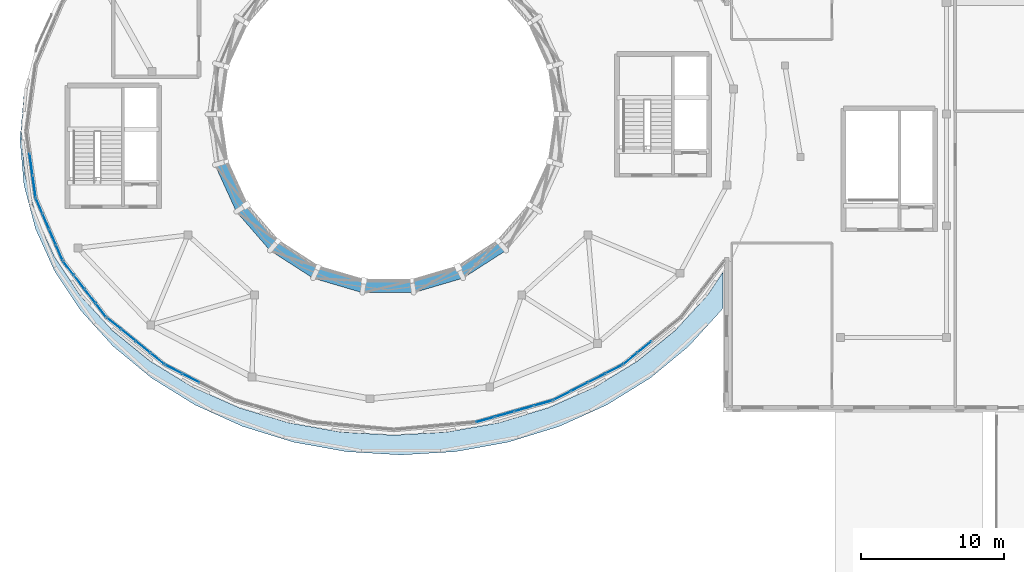
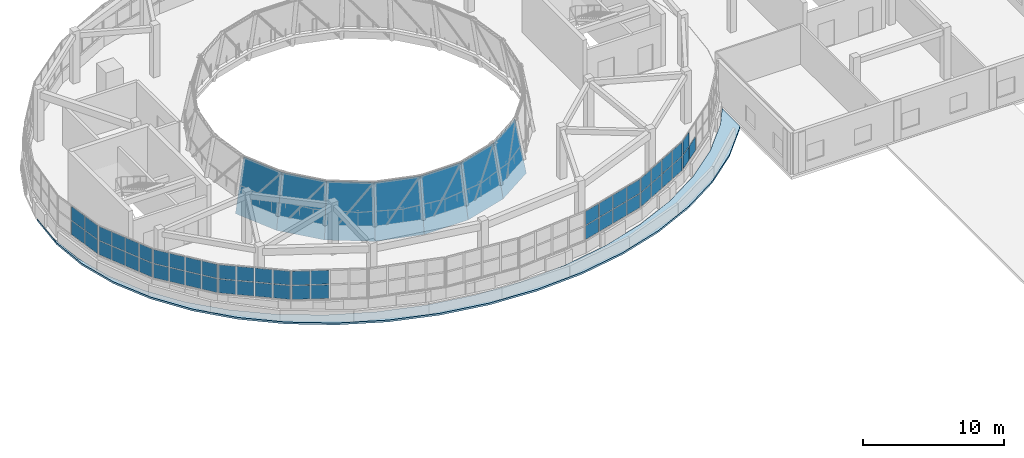
# One storey, part 29 of 46: 58 plates, 1 slab, 8 elements without a shape of their own.
"""IFC4 building model written with IfcOpenShell, lengths in metres."""

from ifc_helpers import new_model, si_unit, direction, frame, origin, origin_2d, place, context, subcontext, project, spatial, polyline, rectangle, outline, extrude, material, layer, layer_set, type_object, element, aggregate, save


model = new_model("IFC4")

# Units and contexts
model_context = context("Model", 3, precision=1e-05, world=origin(), true_north=direction((0.0, 1.0)))
body_context = subcontext(model_context, "Body", "Model", "MODEL_VIEW")
ifc_project = project(units=[si_unit("LENGTHUNIT", "METRE"), si_unit("AREAUNIT", "SQUARE_METRE"), si_unit("VOLUMEUNIT", "CUBIC_METRE"), si_unit("PLANEANGLEUNIT", "RADIAN"), si_unit("MASSUNIT", "GRAM", prefix="KILO")], contexts=[model_context])

# Site, building, storey
site_placement = place(None, origin())
site = spatial("IfcSite", under=ifc_project, at=site_placement, CompositionType="ELEMENT")
building_placement = place(site_placement, origin())
building = spatial("IfcBuilding", under=site, at=building_placement, Name="Pelvatis Terrace Science Centre", CompositionType="ELEMENT")
storey_placement = place(building_placement, frame((0.0, 0.0, 19.800048828125)))
storey = spatial("IfcBuildingStorey", under=building, at=storey_placement, Name="L04", CompositionType="ELEMENT", Elevation=19.800048828125)

# Curtain wall, plates
ifc_material_1 = material(Name="Bronze-anodised aluminium and laminated glass", Category="aluminium")
ifc_layer_1 = layer(ifc_material_1, 0.14990234375)
ifc_layer_set_1 = layer_set([ifc_layer_1], Name="Bronze-anodised aluminium and laminated glass")
curtain_wall_type = type_object("IfcCurtainWallType", Name="CW-PASSAGE-C", PredefinedType="NOTDEFINED", material=ifc_layer_set_1)
curtain_wall_1_placement = place(storey_placement, origin())
curtain_wall_1 = element("IfcCurtainWall", 1, at=curtain_wall_1_placement, inside=storey, type_object=curtain_wall_type, Name="Ribbon curtain wall CW-225 (L04)", PredefinedType="NOTDEFINED")
ifc_material_2 = material(Name="Low-e laminated solar-control double glazing", Category="glass")
ifc_layer_2 = layer(ifc_material_2, 0.0400390625)
ifc_layer_set_2 = layer_set([ifc_layer_2], Name="Low-e laminated solar-control double glazing")
plate_type_1 = type_object("IfcPlateType", Name="CWP-SPN-40", PredefinedType="CURTAIN_PANEL", material=ifc_layer_set_2)
plate_1_placement = place(storey_placement, frame((84.271484375, 82.2802734375, 1.074951171875), z_axis=(0.0, 0.0, 1.0), x_axis=(0.137298402914, -0.990529731284, 0.0)))
plate_1 = element("IfcPlate", 2, at=plate_1_placement, type_object=plate_type_1, Name="CW-225 panel 2.1", PredefinedType="CURTAIN_PANEL", context=body_context, shape_type="SweptSolid", body=[
    extrude(rectangle(XDim=1.50634765625, YDim=0.0400390625, at=origin_2d()), origin(), (0.0, 0.0, 1.0), 1.1923828125),
])
plate_2_placement = place(storey_placement, frame((84.271484375, 82.2802734375, 2.322509765625), z_axis=(0.0, 0.0, 1.0), x_axis=(0.137298402914, -0.990529731284, 0.0)))
plate_2 = element("IfcPlate", 3, at=plate_2_placement, type_object=plate_type_1, Name="CW-225 panel 2.2", PredefinedType="CURTAIN_PANEL", context=body_context, shape_type="SweptSolid", body=[
    extrude(rectangle(XDim=1.50634765625, YDim=0.0400390625, at=origin_2d()), origin(), (0.0, 0.0, 1.0), 1.1923828125),
])
plate_3_placement = place(storey_placement, frame((84.484130859375, 80.747314453125, 1.074951171875), z_axis=(0.0, 0.0, 1.0), x_axis=(0.137298402914, -0.990529731284, 0.0)))
plate_3 = element("IfcPlate", 4, at=plate_3_placement, type_object=plate_type_1, Name="CW-225 panel 3.1", PredefinedType="CURTAIN_PANEL", context=body_context, shape_type="SweptSolid", body=[
    extrude(rectangle(XDim=1.478759765625, YDim=0.0400390625, at=origin_2d()), origin(), (0.0, 0.0, 1.0), 1.1923828125),
])
plate_4_placement = place(storey_placement, frame((84.484130859375, 80.747314453125, 2.322509765625), z_axis=(0.0, 0.0, 1.0), x_axis=(0.137298402914, -0.990529731284, 0.0)))
plate_4 = element("IfcPlate", 5, at=plate_4_placement, type_object=plate_type_1, Name="CW-225 panel 3.2", PredefinedType="CURTAIN_PANEL", context=body_context, shape_type="SweptSolid", body=[
    extrude(rectangle(XDim=1.478759765625, YDim=0.0400390625, at=origin_2d()), origin(), (0.0, 0.0, 1.0), 1.1923828125),
])
aggregate(curtain_wall_1, [plate_1, plate_2, plate_3, plate_4])

curtain_wall_2_placement = place(storey_placement, origin())
curtain_wall_2 = element("IfcCurtainWall", 6, at=curtain_wall_2_placement, inside=storey, type_object=curtain_wall_type, Name="Ribbon curtain wall CW-226 (L04)", PredefinedType="NOTDEFINED")
plate_5_placement = place(storey_placement, frame((84.835693359375, 79.39697265625, 1.074951171875), z_axis=(0.0, 0.0, 1.0), x_axis=(0.395385330111, -0.918515345943, 0.0)))
plate_5 = element("IfcPlate", 7, at=plate_5_placement, type_object=plate_type_1, Name="CW-226 panel 1.1", PredefinedType="CURTAIN_PANEL", context=body_context, shape_type="SweptSolid", body=[
    extrude(rectangle(XDim=1.116943359375, YDim=0.0400390625, at=origin_2d()), origin(), (0.0, 0.0, 1.0), 1.1923828125),
])
plate_6_placement = place(storey_placement, frame((84.835693359375, 79.39697265625, 2.322509765625), z_axis=(0.0, 0.0, 1.0), x_axis=(0.395385330111, -0.918515345943, 0.0)))
plate_6 = element("IfcPlate", 8, at=plate_6_placement, type_object=plate_type_1, Name="CW-226 panel 1.2", PredefinedType="CURTAIN_PANEL", context=body_context, shape_type="SweptSolid", body=[
    extrude(rectangle(XDim=1.116943359375, YDim=0.0400390625, at=origin_2d()), origin(), (0.0, 0.0, 1.0), 1.1923828125),
])
plate_7_placement = place(storey_placement, frame((85.304443359375, 78.307861328125, 1.074951171875), z_axis=(0.0, 0.0, 1.0), x_axis=(0.395385330111, -0.918515345943, 0.0)))
plate_7 = element("IfcPlate", 9, at=plate_7_placement, type_object=plate_type_1, Name="CW-226 panel 2.1", PredefinedType="CURTAIN_PANEL", context=body_context, shape_type="SweptSolid", body=[
    extrude(rectangle(XDim=1.14453125, YDim=0.0400390625, at=origin_2d()), origin(), (0.0, 0.0, 1.0), 1.1923828125),
])
plate_8_placement = place(storey_placement, frame((85.304443359375, 78.307861328125, 2.322509765625), z_axis=(0.0, 0.0, 1.0), x_axis=(0.395385330111, -0.918515345943, 0.0)))
plate_8 = element("IfcPlate", 10, at=plate_8_placement, type_object=plate_type_1, Name="CW-226 panel 2.2", PredefinedType="CURTAIN_PANEL", context=body_context, shape_type="SweptSolid", body=[
    extrude(rectangle(XDim=1.14453125, YDim=0.0400390625, at=origin_2d()), origin(), (0.0, 0.0, 1.0), 1.1923828125),
])
plate_9_placement = place(storey_placement, frame((85.77880859375, 77.2060546875, 1.074951171875), z_axis=(0.0, 0.0, 1.0), x_axis=(0.395385330111, -0.918515345943, 0.0)))
plate_9 = element("IfcPlate", 11, at=plate_9_placement, type_object=plate_type_1, Name="CW-226 panel 3.1", PredefinedType="CURTAIN_PANEL", context=body_context, shape_type="SweptSolid", body=[
    extrude(rectangle(XDim=1.14453125, YDim=0.0400390625, at=origin_2d()), origin(), (0.0, 0.0, 1.0), 1.1923828125),
])
plate_10_placement = place(storey_placement, frame((85.77880859375, 77.2060546875, 2.322509765625), z_axis=(0.0, 0.0, 1.0), x_axis=(0.395385330111, -0.918515345943, 0.0)))
plate_10 = element("IfcPlate", 12, at=plate_10_placement, type_object=plate_type_1, Name="CW-226 panel 3.2", PredefinedType="CURTAIN_PANEL", context=body_context, shape_type="SweptSolid", body=[
    extrude(rectangle(XDim=1.14453125, YDim=0.0400390625, at=origin_2d()), origin(), (0.0, 0.0, 1.0), 1.1923828125),
])
plate_11_placement = place(storey_placement, frame((86.24755859375, 76.116943359375, 1.074951171875), z_axis=(0.0, 0.0, 1.0), x_axis=(0.395385330111, -0.918515345943, 0.0)))
plate_11 = element("IfcPlate", 13, at=plate_11_placement, type_object=plate_type_1, Name="CW-226 panel 4.1", PredefinedType="CURTAIN_PANEL", context=body_context, shape_type="SweptSolid", body=[
    extrude(rectangle(XDim=1.116943359375, YDim=0.0400390625, at=origin_2d()), origin(), (0.0, 0.0, 1.0), 1.1923828125),
])
plate_12_placement = place(storey_placement, frame((86.24755859375, 76.116943359375, 2.322509765625), z_axis=(0.0, 0.0, 1.0), x_axis=(0.395385330111, -0.918515345943, 0.0)))
plate_12 = element("IfcPlate", 14, at=plate_12_placement, type_object=plate_type_1, Name="CW-226 panel 4.2", PredefinedType="CURTAIN_PANEL", context=body_context, shape_type="SweptSolid", body=[
    extrude(rectangle(XDim=1.116943359375, YDim=0.0400390625, at=origin_2d()), origin(), (0.0, 0.0, 1.0), 1.1923828125),
])
aggregate(curtain_wall_2, [plate_5, plate_6, plate_7, plate_8, plate_9, plate_10, plate_11, plate_12])

curtain_wall_3_placement = place(storey_placement, origin())
curtain_wall_3 = element("IfcCurtainWall", 15, at=curtain_wall_3_placement, inside=storey, type_object=curtain_wall_type, Name="Ribbon curtain wall CW-227 (L04)", PredefinedType="NOTDEFINED")
plate_13_placement = place(storey_placement, frame((86.880615234375, 75.04833984375, 1.074951171875), z_axis=(0.0, 0.0, 1.0), x_axis=(0.611582483994, -0.791180678019, 0.0)))
plate_13 = element("IfcPlate", 16, at=plate_13_placement, type_object=plate_type_1, Name="CW-227 panel 1.1", PredefinedType="CURTAIN_PANEL", context=body_context, shape_type="SweptSolid", body=[
    extrude(rectangle(XDim=1.166748046875, YDim=0.0400390625, at=origin_2d()), origin(), (0.0, 0.0, 1.0), 1.1923828125),
])
plate_14_placement = place(storey_placement, frame((86.880615234375, 75.04833984375, 2.322509765625), z_axis=(0.0, 0.0, 1.0), x_axis=(0.611582483994, -0.791180678019, 0.0)))
plate_14 = element("IfcPlate", 17, at=plate_14_placement, type_object=plate_type_1, Name="CW-227 panel 1.2", PredefinedType="CURTAIN_PANEL", context=body_context, shape_type="SweptSolid", body=[
    extrude(rectangle(XDim=1.166748046875, YDim=0.0400390625, at=origin_2d()), origin(), (0.0, 0.0, 1.0), 1.1923828125),
])
plate_15_placement = place(storey_placement, frame((87.635986328125, 74.071044921875, 1.074951171875), z_axis=(0.0, 0.0, 1.0), x_axis=(0.611582483994, -0.791180678019, 0.0)))
plate_15 = element("IfcPlate", 18, at=plate_15_placement, type_object=plate_type_1, Name="CW-227 panel 2.1", PredefinedType="CURTAIN_PANEL", context=body_context, shape_type="SweptSolid", body=[
    extrude(rectangle(XDim=1.194091796875, YDim=0.0400390625, at=origin_2d()), origin(), (0.0, 0.0, 1.0), 1.1923828125),
])
plate_16_placement = place(storey_placement, frame((87.635986328125, 74.071044921875, 2.322509765625), z_axis=(0.0, 0.0, 1.0), x_axis=(0.611582483994, -0.791180678019, 0.0)))
plate_16 = element("IfcPlate", 19, at=plate_16_placement, type_object=plate_type_1, Name="CW-227 panel 2.2", PredefinedType="CURTAIN_PANEL", context=body_context, shape_type="SweptSolid", body=[
    extrude(rectangle(XDim=1.194091796875, YDim=0.0400390625, at=origin_2d()), origin(), (0.0, 0.0, 1.0), 1.1923828125),
])
plate_17_placement = place(storey_placement, frame((88.400146484375, 73.082763671875, 1.074951171875), z_axis=(0.0, 0.0, 1.0), x_axis=(0.611582483994, -0.791180678019, 0.0)))
plate_17 = element("IfcPlate", 20, at=plate_17_placement, type_object=plate_type_1, Name="CW-227 panel 3.1", PredefinedType="CURTAIN_PANEL", context=body_context, shape_type="SweptSolid", body=[
    extrude(rectangle(XDim=1.194091796875, YDim=0.0400390625, at=origin_2d()), origin(), (0.0, 0.0, 1.0), 1.1923828125),
])
plate_18_placement = place(storey_placement, frame((88.400146484375, 73.082763671875, 2.322509765625), z_axis=(0.0, 0.0, 1.0), x_axis=(0.611582483994, -0.791180678019, 0.0)))
plate_18 = element("IfcPlate", 21, at=plate_18_placement, type_object=plate_type_1, Name="CW-227 panel 3.2", PredefinedType="CURTAIN_PANEL", context=body_context, shape_type="SweptSolid", body=[
    extrude(rectangle(XDim=1.194091796875, YDim=0.0400390625, at=origin_2d()), origin(), (0.0, 0.0, 1.0), 1.1923828125),
])
plate_19_placement = place(storey_placement, frame((89.155517578125, 72.105224609375, 1.074951171875), z_axis=(0.0, 0.0, 1.0), x_axis=(0.611582483994, -0.791180678019, 0.0)))
plate_19 = element("IfcPlate", 22, at=plate_19_placement, type_object=plate_type_1, Name="CW-227 panel 4.1", PredefinedType="CURTAIN_PANEL", context=body_context, shape_type="SweptSolid", body=[
    extrude(rectangle(XDim=1.166748046875, YDim=0.0400390625, at=origin_2d()), origin(), (0.0, 0.0, 1.0), 1.1923828125),
])
plate_20_placement = place(storey_placement, frame((89.155517578125, 72.105224609375, 2.322509765625), z_axis=(0.0, 0.0, 1.0), x_axis=(0.611582483994, -0.791180678019, 0.0)))
plate_20 = element("IfcPlate", 23, at=plate_20_placement, type_object=plate_type_1, Name="CW-227 panel 4.2", PredefinedType="CURTAIN_PANEL", context=body_context, shape_type="SweptSolid", body=[
    extrude(rectangle(XDim=1.166748046875, YDim=0.0400390625, at=origin_2d()), origin(), (0.0, 0.0, 1.0), 1.1923828125),
])
aggregate(curtain_wall_3, [plate_13, plate_14, plate_15, plate_16, plate_17, plate_18, plate_19, plate_20])

curtain_wall_4_placement = place(storey_placement, origin())
curtain_wall_4 = element("IfcCurtainWall", 24, at=curtain_wall_4_placement, inside=storey, type_object=curtain_wall_type, Name="Ribbon curtain wall CW-228 (L04)", PredefinedType="NOTDEFINED")
plate_21_placement = place(storey_placement, frame((90.064453125, 71.178955078125, 1.074951171875), z_axis=(0.0, 0.0, 1.0), x_axis=(0.775980152456, -0.630757324963, 0.0)))
plate_21 = element("IfcPlate", 25, at=plate_21_placement, type_object=plate_type_1, Name="CW-228 panel 1.1", PredefinedType="CURTAIN_PANEL", context=body_context, shape_type="SweptSolid", body=[
    extrude(rectangle(XDim=1.22607421875, YDim=0.0400390625, at=origin_2d()), origin(), (0.0, 0.0, 1.0), 1.1923828125),
])
plate_22_placement = place(storey_placement, frame((90.064453125, 71.178955078125, 2.322509765625), z_axis=(0.0, 0.0, 1.0), x_axis=(0.775980152456, -0.630757324963, 0.0)))
plate_22 = element("IfcPlate", 26, at=plate_22_placement, type_object=plate_type_1, Name="CW-228 panel 1.2", PredefinedType="CURTAIN_PANEL", context=body_context, shape_type="SweptSolid", body=[
    extrude(rectangle(XDim=1.22607421875, YDim=0.0400390625, at=origin_2d()), origin(), (0.0, 0.0, 1.0), 1.1923828125),
])
plate_23_placement = place(storey_placement, frame((91.069091796875, 70.362060546875, 1.074951171875), z_axis=(0.0, 0.0, 1.0), x_axis=(0.775980152456, -0.630757324963, 0.0)))
plate_23 = element("IfcPlate", 27, at=plate_23_placement, type_object=plate_type_1, Name="CW-228 panel 2.1", PredefinedType="CURTAIN_PANEL", context=body_context, shape_type="SweptSolid", body=[
    extrude(rectangle(XDim=1.25341796875, YDim=0.0400390625, at=origin_2d()), origin(), (0.0, 0.0, 1.0), 1.1923828125),
])
plate_24_placement = place(storey_placement, frame((91.069091796875, 70.362060546875, 2.322509765625), z_axis=(0.0, 0.0, 1.0), x_axis=(0.775980152456, -0.630757324963, 0.0)))
plate_24 = element("IfcPlate", 28, at=plate_24_placement, type_object=plate_type_1, Name="CW-228 panel 2.2", PredefinedType="CURTAIN_PANEL", context=body_context, shape_type="SweptSolid", body=[
    extrude(rectangle(XDim=1.25341796875, YDim=0.0400390625, at=origin_2d()), origin(), (0.0, 0.0, 1.0), 1.1923828125),
])
plate_25_placement = place(storey_placement, frame((92.08447265625, 69.536865234375, 1.074951171875), z_axis=(0.0, 0.0, 1.0), x_axis=(0.775980152456, -0.630757324963, 0.0)))
plate_25 = element("IfcPlate", 29, at=plate_25_placement, type_object=plate_type_1, Name="CW-228 panel 3.1", PredefinedType="CURTAIN_PANEL", context=body_context, shape_type="SweptSolid", body=[
    extrude(rectangle(XDim=1.25341796875, YDim=0.0400390625, at=origin_2d()), origin(), (0.0, 0.0, 1.0), 1.1923828125),
])
plate_26_placement = place(storey_placement, frame((92.08447265625, 69.536865234375, 2.322509765625), z_axis=(0.0, 0.0, 1.0), x_axis=(0.775980152456, -0.630757324963, 0.0)))
plate_26 = element("IfcPlate", 30, at=plate_26_placement, type_object=plate_type_1, Name="CW-228 panel 3.2", PredefinedType="CURTAIN_PANEL", context=body_context, shape_type="SweptSolid", body=[
    extrude(rectangle(XDim=1.25341796875, YDim=0.0400390625, at=origin_2d()), origin(), (0.0, 0.0, 1.0), 1.1923828125),
])
plate_27_placement = place(storey_placement, frame((93.089111328125, 68.72021484375, 1.074951171875), z_axis=(0.0, 0.0, 1.0), x_axis=(0.775980152456, -0.630757324963, 0.0)))
plate_27 = element("IfcPlate", 31, at=plate_27_placement, type_object=plate_type_1, Name="CW-228 panel 4.1", PredefinedType="CURTAIN_PANEL", context=body_context, shape_type="SweptSolid", body=[
    extrude(rectangle(XDim=1.22607421875, YDim=0.0400390625, at=origin_2d()), origin(), (0.0, 0.0, 1.0), 1.1923828125),
])
plate_28_placement = place(storey_placement, frame((93.089111328125, 68.72021484375, 2.322509765625), z_axis=(0.0, 0.0, 1.0), x_axis=(0.775980152456, -0.630757324963, 0.0)))
plate_28 = element("IfcPlate", 32, at=plate_28_placement, type_object=plate_type_1, Name="CW-228 panel 4.2", PredefinedType="CURTAIN_PANEL", context=body_context, shape_type="SweptSolid", body=[
    extrude(rectangle(XDim=1.22607421875, YDim=0.0400390625, at=origin_2d()), origin(), (0.0, 0.0, 1.0), 1.1923828125),
])
aggregate(curtain_wall_4, [plate_21, plate_22, plate_23, plate_24, plate_25, plate_26, plate_27, plate_28])

curtain_wall_5_placement = place(storey_placement, origin())
curtain_wall_5 = element("IfcCurtainWall", 33, at=curtain_wall_5_placement, inside=storey, type_object=curtain_wall_type, Name="Ribbon curtain wall CW-229 (L04)", PredefinedType="NOTDEFINED")
plate_29_placement = place(storey_placement, frame((94.227783203125, 67.98193359375, 1.074951171875), z_axis=(0.0, 0.0, 1.0), x_axis=(0.890563601587, -0.454858737992, 0.0)))
plate_29 = element("IfcPlate", 34, at=plate_29_placement, type_object=plate_type_1, Name="CW-229 panel 1.1", PredefinedType="CURTAIN_PANEL", context=body_context, shape_type="SweptSolid", body=[
    extrude(rectangle(XDim=1.28271484375, YDim=0.0400390625, at=origin_2d()), origin(), (0.0, 0.0, 1.0), 1.1923828125),
])
plate_30_placement = place(storey_placement, frame((94.227783203125, 67.98193359375, 2.322509765625), z_axis=(0.0, 0.0, 1.0), x_axis=(0.890563601587, -0.454858737992, 0.0)))
plate_30 = element("IfcPlate", 35, at=plate_30_placement, type_object=plate_type_1, Name="CW-229 panel 1.2", PredefinedType="CURTAIN_PANEL", context=body_context, shape_type="SweptSolid", body=[
    extrude(rectangle(XDim=1.28271484375, YDim=0.0400390625, at=origin_2d()), origin(), (0.0, 0.0, 1.0), 1.1923828125),
])
plate_31_placement = place(storey_placement, frame((95.431396484375, 67.3671875, 1.074951171875), z_axis=(0.0, 0.0, 1.0), x_axis=(0.890563601587, -0.454858737992, 0.0)))
plate_31 = element("IfcPlate", 36, at=plate_31_placement, type_object=plate_type_1, Name="CW-229 panel 2.1", PredefinedType="CURTAIN_PANEL", context=body_context, shape_type="SweptSolid", body=[
    extrude(rectangle(XDim=1.310302734375, YDim=0.0400390625, at=origin_2d()), origin(), (0.0, 0.0, 1.0), 1.1923828125),
])
plate_32_placement = place(storey_placement, frame((95.431396484375, 67.3671875, 2.322509765625), z_axis=(0.0, 0.0, 1.0), x_axis=(0.890563601587, -0.454858737992, 0.0)))
plate_32 = element("IfcPlate", 37, at=plate_32_placement, type_object=plate_type_1, Name="CW-229 panel 2.2", PredefinedType="CURTAIN_PANEL", context=body_context, shape_type="SweptSolid", body=[
    extrude(rectangle(XDim=1.310302734375, YDim=0.0400390625, at=origin_2d()), origin(), (0.0, 0.0, 1.0), 1.1923828125),
])
aggregate(curtain_wall_5, [plate_29, plate_30, plate_31, plate_32])

curtain_wall_6_placement = place(storey_placement, origin())
curtain_wall_6 = element("IfcCurtainWall", 38, at=curtain_wall_6_placement, inside=storey, type_object=curtain_wall_type, Name="Ribbon curtain wall CW-233 (L04)", PredefinedType="NOTDEFINED")
plate_33_placement = place(storey_placement, frame((115.99853515625, 64.46923828125, 1.074951171875), z_axis=(0.0, 0.0, 1.0), x_axis=(0.96184998325, 0.273577429116, 0.0)))
plate_33 = element("IfcPlate", 39, at=plate_33_placement, type_object=plate_type_1, Name="CW-233 panel 1.1", PredefinedType="CURTAIN_PANEL", context=body_context, shape_type="SweptSolid", body=[
    extrude(rectangle(XDim=1.32666015625, YDim=0.0400390625, at=origin_2d()), origin(), (0.0, 0.0, 1.0), 1.1923828125),
])
plate_34_placement = place(storey_placement, frame((115.99853515625, 64.46923828125, 2.322509765625), z_axis=(0.0, 0.0, 1.0), x_axis=(0.96184998325, 0.273577429116, 0.0)))
plate_34 = element("IfcPlate", 40, at=plate_34_placement, type_object=plate_type_1, Name="CW-233 panel 1.2", PredefinedType="CURTAIN_PANEL", context=body_context, shape_type="SweptSolid", body=[
    extrude(rectangle(XDim=1.32666015625, YDim=0.0400390625, at=origin_2d()), origin(), (0.0, 0.0, 1.0), 1.1923828125),
])
plate_35_placement = place(storey_placement, frame((117.3408203125, 64.85107421875, 1.074951171875), z_axis=(0.0, 0.0, 1.0), x_axis=(0.96184998325, 0.273577429116, 0.0)))
plate_35 = element("IfcPlate", 41, at=plate_35_placement, type_object=plate_type_1, Name="CW-233 panel 2.1", PredefinedType="CURTAIN_PANEL", context=body_context, shape_type="SweptSolid", body=[
    extrude(rectangle(XDim=1.35400390625, YDim=0.0400390625, at=origin_2d()), origin(), (0.0, 0.0, 1.0), 1.1923828125),
])
plate_36_placement = place(storey_placement, frame((117.3408203125, 64.85107421875, 2.322509765625), z_axis=(0.0, 0.0, 1.0), x_axis=(0.96184998325, 0.273577429116, 0.0)))
plate_36 = element("IfcPlate", 42, at=plate_36_placement, type_object=plate_type_1, Name="CW-233 panel 2.2", PredefinedType="CURTAIN_PANEL", context=body_context, shape_type="SweptSolid", body=[
    extrude(rectangle(XDim=1.35400390625, YDim=0.0400390625, at=origin_2d()), origin(), (0.0, 0.0, 1.0), 1.1923828125),
])
plate_37_placement = place(storey_placement, frame((118.696044921875, 65.236572265625, 1.074951171875), z_axis=(0.0, 0.0, 1.0), x_axis=(0.96184998325, 0.273577429116, 0.0)))
plate_37 = element("IfcPlate", 43, at=plate_37_placement, type_object=plate_type_1, Name="CW-233 panel 3.1", PredefinedType="CURTAIN_PANEL", context=body_context, shape_type="SweptSolid", body=[
    extrude(rectangle(XDim=1.35400390625, YDim=0.0400390625, at=origin_2d()), origin(), (0.0, 0.0, 1.0), 1.1923828125),
])
plate_38_placement = place(storey_placement, frame((118.696044921875, 65.236572265625, 2.322509765625), z_axis=(0.0, 0.0, 1.0), x_axis=(0.96184998325, 0.273577429116, 0.0)))
plate_38 = element("IfcPlate", 44, at=plate_38_placement, type_object=plate_type_1, Name="CW-233 panel 3.2", PredefinedType="CURTAIN_PANEL", context=body_context, shape_type="SweptSolid", body=[
    extrude(rectangle(XDim=1.35400390625, YDim=0.0400390625, at=origin_2d()), origin(), (0.0, 0.0, 1.0), 1.1923828125),
])
plate_39_placement = place(storey_placement, frame((120.0380859375, 65.618408203125, 1.074951171875), z_axis=(0.0, 0.0, 1.0), x_axis=(0.96184998325, 0.273577429116, 0.0)))
plate_39 = element("IfcPlate", 45, at=plate_39_placement, type_object=plate_type_1, Name="CW-233 panel 4.1", PredefinedType="CURTAIN_PANEL", context=body_context, shape_type="SweptSolid", body=[
    extrude(rectangle(XDim=1.32666015625, YDim=0.0400390625, at=origin_2d()), origin(), (0.0, 0.0, 1.0), 1.1923828125),
])
plate_40_placement = place(storey_placement, frame((120.0380859375, 65.618408203125, 2.322509765625), z_axis=(0.0, 0.0, 1.0), x_axis=(0.96184998325, 0.273577429116, 0.0)))
plate_40 = element("IfcPlate", 46, at=plate_40_placement, type_object=plate_type_1, Name="CW-233 panel 4.2", PredefinedType="CURTAIN_PANEL", context=body_context, shape_type="SweptSolid", body=[
    extrude(rectangle(XDim=1.32666015625, YDim=0.0400390625, at=origin_2d()), origin(), (0.0, 0.0, 1.0), 1.1923828125),
])
aggregate(curtain_wall_6, [plate_33, plate_34, plate_35, plate_36, plate_37, plate_38, plate_39, plate_40])

curtain_wall_7_placement = place(storey_placement, origin())
curtain_wall_7 = element("IfcCurtainWall", 47, at=curtain_wall_7_placement, inside=storey, type_object=curtain_wall_type, Name="Ribbon curtain wall CW-234 (L04)", PredefinedType="NOTDEFINED")
plate_41_placement = place(storey_placement, frame((121.349365234375, 66.131591796875, 1.074951171875), z_axis=(0.0, 0.0, 1.0), x_axis=(0.890563601587, 0.454858737992, 0.0)))
plate_41 = element("IfcPlate", 48, at=plate_41_placement, type_object=plate_type_1, Name="CW-234 panel 1.1", PredefinedType="CURTAIN_PANEL", context=body_context, shape_type="SweptSolid", body=[
    extrude(rectangle(XDim=1.28271484375, YDim=0.0400390625, at=origin_2d()), origin(), (0.0, 0.0, 1.0), 1.1923828125),
])
plate_42_placement = place(storey_placement, frame((121.349365234375, 66.131591796875, 2.322509765625), z_axis=(0.0, 0.0, 1.0), x_axis=(0.890563601587, 0.454858737992, 0.0)))
plate_42 = element("IfcPlate", 49, at=plate_42_placement, type_object=plate_type_1, Name="CW-234 panel 1.2", PredefinedType="CURTAIN_PANEL", context=body_context, shape_type="SweptSolid", body=[
    extrude(rectangle(XDim=1.28271484375, YDim=0.0400390625, at=origin_2d()), origin(), (0.0, 0.0, 1.0), 1.1923828125),
])
plate_43_placement = place(storey_placement, frame((122.552978515625, 66.746337890625, 1.074951171875), z_axis=(0.0, 0.0, 1.0), x_axis=(0.890563601587, 0.454858737992, 0.0)))
plate_43 = element("IfcPlate", 50, at=plate_43_placement, type_object=plate_type_1, Name="CW-234 panel 2.1", PredefinedType="CURTAIN_PANEL", context=body_context, shape_type="SweptSolid", body=[
    extrude(rectangle(XDim=1.310302734375, YDim=0.0400390625, at=origin_2d()), origin(), (0.0, 0.0, 1.0), 1.1923828125),
])
plate_44_placement = place(storey_placement, frame((122.552978515625, 66.746337890625, 2.322509765625), z_axis=(0.0, 0.0, 1.0), x_axis=(0.890563601587, 0.454858737992, 0.0)))
plate_44 = element("IfcPlate", 51, at=plate_44_placement, type_object=plate_type_1, Name="CW-234 panel 2.2", PredefinedType="CURTAIN_PANEL", context=body_context, shape_type="SweptSolid", body=[
    extrude(rectangle(XDim=1.310302734375, YDim=0.0400390625, at=origin_2d()), origin(), (0.0, 0.0, 1.0), 1.1923828125),
])
plate_45_placement = place(storey_placement, frame((123.768798828125, 67.3671875, 1.074951171875), z_axis=(0.0, 0.0, 1.0), x_axis=(0.890563601587, 0.454858737992, 0.0)))
plate_45 = element("IfcPlate", 52, at=plate_45_placement, type_object=plate_type_1, Name="CW-234 panel 3.1", PredefinedType="CURTAIN_PANEL", context=body_context, shape_type="SweptSolid", body=[
    extrude(rectangle(XDim=1.310302734375, YDim=0.0400390625, at=origin_2d()), origin(), (0.0, 0.0, 1.0), 1.1923828125),
])
plate_46_placement = place(storey_placement, frame((123.768798828125, 67.3671875, 2.322509765625), z_axis=(0.0, 0.0, 1.0), x_axis=(0.890563601587, 0.454858737992, 0.0)))
plate_46 = element("IfcPlate", 53, at=plate_46_placement, type_object=plate_type_1, Name="CW-234 panel 3.2", PredefinedType="CURTAIN_PANEL", context=body_context, shape_type="SweptSolid", body=[
    extrude(rectangle(XDim=1.310302734375, YDim=0.0400390625, at=origin_2d()), origin(), (0.0, 0.0, 1.0), 1.1923828125),
])
plate_47_placement = place(storey_placement, frame((124.972412109375, 67.98193359375, 1.074951171875), z_axis=(0.0, 0.0, 1.0), x_axis=(0.890563601587, 0.454858737992, 0.0)))
plate_47 = element("IfcPlate", 54, at=plate_47_placement, type_object=plate_type_1, Name="CW-234 panel 4.1", PredefinedType="CURTAIN_PANEL", context=body_context, shape_type="SweptSolid", body=[
    extrude(rectangle(XDim=1.28271484375, YDim=0.0400390625, at=origin_2d()), origin(), (0.0, 0.0, 1.0), 1.1923828125),
])
plate_48_placement = place(storey_placement, frame((124.972412109375, 67.98193359375, 2.322509765625), z_axis=(0.0, 0.0, 1.0), x_axis=(0.890563601587, 0.454858737992, 0.0)))
plate_48 = element("IfcPlate", 55, at=plate_48_placement, type_object=plate_type_1, Name="CW-234 panel 4.2", PredefinedType="CURTAIN_PANEL", context=body_context, shape_type="SweptSolid", body=[
    extrude(rectangle(XDim=1.28271484375, YDim=0.0400390625, at=origin_2d()), origin(), (0.0, 0.0, 1.0), 1.1923828125),
])
aggregate(curtain_wall_7, [plate_41, plate_42, plate_43, plate_44, plate_45, plate_46, plate_47, plate_48])

curtain_wall_8_placement = place(storey_placement, origin())
curtain_wall_8 = element("IfcCurtainWall", 56, at=curtain_wall_8_placement, inside=storey, type_object=curtain_wall_type, Name="Ribbon curtain wall CW-235 (L04)", PredefinedType="NOTDEFINED")
plate_49_placement = place(storey_placement, frame((126.11083984375, 68.72021484375, 1.074951171875), z_axis=(0.0, 0.0, 1.0), x_axis=(0.775980152456, 0.630757324963, 0.0)))
plate_49 = element("IfcPlate", 57, at=plate_49_placement, type_object=plate_type_1, Name="CW-235 panel 1.1", PredefinedType="CURTAIN_PANEL", context=body_context, shape_type="SweptSolid", body=[
    extrude(rectangle(XDim=1.22607421875, YDim=0.0400390625, at=origin_2d()), origin(), (0.0, 0.0, 1.0), 1.1923828125),
])
plate_50_placement = place(storey_placement, frame((126.11083984375, 68.72021484375, 2.322509765625), z_axis=(0.0, 0.0, 1.0), x_axis=(0.775980152456, 0.630757324963, 0.0)))
plate_50 = element("IfcPlate", 58, at=plate_50_placement, type_object=plate_type_1, Name="CW-235 panel 1.2", PredefinedType="CURTAIN_PANEL", context=body_context, shape_type="SweptSolid", body=[
    extrude(rectangle(XDim=1.22607421875, YDim=0.0400390625, at=origin_2d()), origin(), (0.0, 0.0, 1.0), 1.1923828125),
])
plate_51_placement = place(storey_placement, frame((127.115478515625, 69.536865234375, 1.074951171875), z_axis=(0.0, 0.0, 1.0), x_axis=(0.775980152456, 0.630757324963, 0.0)))
plate_51 = element("IfcPlate", 59, at=plate_51_placement, type_object=plate_type_1, Name="CW-235 panel 2.1", PredefinedType="CURTAIN_PANEL", context=body_context, shape_type="SweptSolid", body=[
    extrude(rectangle(XDim=1.25341796875, YDim=0.0400390625, at=origin_2d()), origin(), (0.0, 0.0, 1.0), 1.1923828125),
])
aggregate(curtain_wall_8, [plate_49, plate_50, plate_51])

# Plates
ifc_material_3 = material(Name="Bronze-patinated standing-seam titanium-zinc sheet", Category="steel")
ifc_layer_3 = layer(ifc_material_3, 0.01611328125)
ifc_layer_set_3 = layer_set([ifc_layer_3], Name="Bronze-patinated standing-seam titanium-zinc sheet")
plate_type_2 = type_object("IfcPlateType", Name="PLT-DOM-SH16", PredefinedType="SHEET", material=ifc_layer_set_3)
plate_52_placement = place(storey_placement, frame((97.1103515625, 82.250244140625, -1.199951171875), z_axis=(-0.894704511848, -0.408585305387, 0.180449119425), x_axis=(0.415403552876, -0.909637228915, -5.386405e-06)))
element("IfcPlate", 60, at=plate_52_placement, inside=storey, type_object=plate_type_2, Name="Planetarium dome shell panel 1.13", PredefinedType="SHEET", context=body_context, shape_type="SweptSolid", body=[
    extrude(outline(polyline([(0.0, 0.0), (3.586492863683238, 2.7755575615628914e-17), (3.4672196221127862, 4.590759980337673), (0.11922918406934775, 4.590722005012002), (0.0, 0.0)])), origin(), (0.0, 0.0, -1.0), 0.013916015625),
])
plate_53_placement = place(storey_placement, frame((98.60009765625, 78.98779296875, -1.199951171875), z_axis=(-0.743332249683, -0.64412201511, 0.180454970094), x_axis=(0.654873681477, -0.755738355039, 5.623376e-06)))
element("IfcPlate", 61, at=plate_53_placement, inside=storey, type_object=plate_type_2, Name="Planetarium dome shell panel 1.14", PredefinedType="SHEET", context=body_context, shape_type="SweptSolid", body=[
    extrude(outline(polyline([(0.0, 0.0), (3.58626374392024, -5.551115123125783e-17), (3.467350921582056, 4.590726179027256), (0.1190480447937864, 4.590765825570634), (0.0, 0.0)])), origin(), (0.0, 0.0, -1.0), 0.013916015625),
])
plate_54_placement = place(storey_placement, frame((100.94873046875, 76.277587890625, -1.199951171875), z_axis=(-0.531758273734, -0.827452718863, 0.180430419724), x_axis=(0.841259486555, -0.540631553165, -1.974376e-06)))
element("IfcPlate", 62, at=plate_54_placement, inside=storey, type_object=plate_type_2, Name="Planetarium dome shell panel 1.15", PredefinedType="SHEET", context=body_context, shape_type="SweptSolid", body=[
    extrude(outline(polyline([(0.0, 0.0), (3.5864210278518214, 0.0), (3.4673360205285064, 4.5907319415773085), (0.11922737024813038, 4.590718021753847), (0.0, 0.0)])), origin(), (0.0, 0.0, -1.0), 0.013916015625),
])
plate_55_placement = place(storey_placement, frame((103.9658203125, 74.338623046875, -1.199951171875), z_axis=(-0.277142876442, -0.943733308608, 0.180441869481), x_axis=(0.959482552871, -0.281768044207, -7.42736e-07)))
element("IfcPlate", 63, at=plate_55_placement, inside=storey, type_object=plate_type_2, Name="Planetarium dome shell panel 1.16", PredefinedType="SHEET", context=body_context, shape_type="SweptSolid", body=[
    extrude(outline(polyline([(0.0, 0.0), (3.586226815217759, -2.7755575615628914e-17), (3.4671288598703254, 4.590737403042071), (0.11907633216327675, 4.590732166749456), (0.0, 0.0)])), origin(), (0.0, 0.0, -1.0), 0.013916015625),
])
plate_56_placement = place(storey_placement, frame((107.40673828125, 73.328125, -1.199951171875), z_axis=(0.0, -0.983585326699, 0.180443634144), x_axis=(1.0, 0.0, 0.0)))
element("IfcPlate", 64, at=plate_56_placement, inside=storey, type_object=plate_type_2, Name="Planetarium dome shell panel 1.17", PredefinedType="SHEET", context=body_context, shape_type="SweptSolid", body=[
    extrude(outline(polyline([(0.0, 0.0), (3.58642578125, 0.0), (3.46728515625, 4.590736295884346), (0.119140625, 4.590736295884346), (0.0, 0.0)])), origin(), (0.0, 0.0, -1.0), 0.013916015625),
])
plate_57_placement = place(storey_placement, frame((110.9931640625, 73.328125, -1.199951171875), z_axis=(0.277133889157, -0.943737333648, 0.180434621291), x_axis=(0.95948525699, 0.281758835909, 2.503257e-06)))
element("IfcPlate", 65, at=plate_57_placement, inside=storey, type_object=plate_type_2, Name="Planetarium dome shell panel 1.18", PredefinedType="SHEET", context=body_context, shape_type="SweptSolid", body=[
    extrude(outline(polyline([(0.0, 0.0), (3.586226814903013, 2.7755575615628914e-17), (3.467384731750422, 4.590719754276053), (0.11909795472839403, 4.590737402812255), (0.0, 0.0)])), origin(), (0.0, 0.0, -1.0), 0.013916015625),
])
plate_58_placement = place(storey_placement, frame((114.43408203125, 74.338623046875, -1.199951171875), z_axis=(0.531761032105, -0.82745701108, 0.180402604054), x_axis=(0.841259486615, 0.540631553071, 1.974082e-06)))
element("IfcPlate", 66, at=plate_58_placement, inside=storey, type_object=plate_type_2, Name="Planetarium dome shell panel 1.19", PredefinedType="SHEET", context=body_context, shape_type="SweptSolid", body=[
    extrude(outline(polyline([(0.0, 0.0), (3.586421027851819, 0.0), (3.467399041799919, 4.590694209229984), (0.11929039151953641, 4.590708126907525), (0.0, 0.0)])), origin(), (0.0, 0.0, -1.0), 0.013916015625),
])

# Slab
ifc_material_4 = material(Name="Concrete C35/45", Category="concrete")
ifc_layer_4 = layer(ifc_material_4, 0.1650390625)
ifc_layer_set_4 = layer_set([ifc_layer_4], Name="Concrete C35/45")
slab_type = type_object("IfcSlabType", Name="SLB-ROOF-208", PredefinedType="ROOF", material=ifc_layer_set_4)
slab_placement = place(storey_placement, frame((0.0, 0.0, -0.1650390625)))
element("IfcSlab", 67, at=slab_placement, inside=storey, type_object=slab_type, Name="L04 Planetarium ring spiral step collar roof", PredefinedType="ROOF", context=body_context, shape_type="SweptSolid", body=[
    extrude(outline(polyline([(132.477294921875, 72.10595703125), (130.202880859375, 69.593017578125), (127.519287109375, 67.37353515625), (124.48095703125, 65.492431640625), (121.14990234375, 63.988037109375), (117.593994140625, 62.89111328125), (113.885498046875, 62.223876953125), (110.10009765625, 62.0), (106.314453125, 62.223876953125), (102.60595703125, 62.89111328125), (99.050048828125, 63.988037109375), (95.718994140625, 65.492431640625), (92.6806640625, 67.37353515625), (89.9970703125, 69.593017578125), (87.72265625, 72.10595703125), (85.90380859375, 74.86083984375), (84.577392578125, 77.802001953125), (83.770751953125, 80.869140625), (83.5, 84.0), (83.770751953125, 87.130859375), (83.8173828125, 87.30859375), (83.580078125, 84.60009765625), (83.8447265625, 81.581298828125), (84.6337890625, 78.6220703125), (85.93212890625, 75.783447265625), (87.710693359375, 73.127197265625), (89.93798828125, 70.701416015625), (92.563232421875, 68.56103515625), (95.53515625, 66.7470703125), (98.79345703125, 65.296630859375), (102.271484375, 64.239013671875), (105.898681640625, 63.595703125), (109.598876953125, 63.3798828125), (113.301513671875, 63.595703125), (116.928466796875, 64.239013671875), (120.408935546875, 65.297607421875), (123.664794921875, 66.7470703125), (126.63671875, 68.56103515625), (129.26416015625, 70.70361328125), (131.48828125, 73.1259765625), (132.580078125, 74.756103515625), (132.580078125, 72.261474609375), (132.477294921875, 72.10595703125)])), origin(), (0.0, 0.0, 1.0), 0.1650390625),
])

save(model, "model.ifc")
